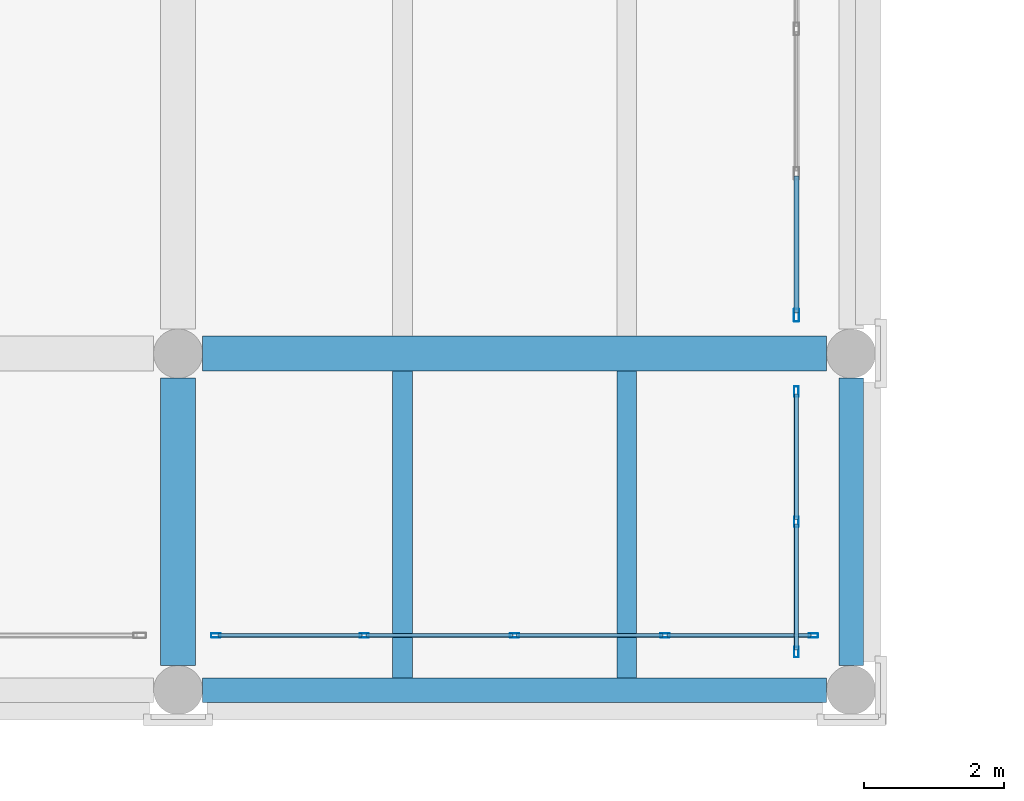
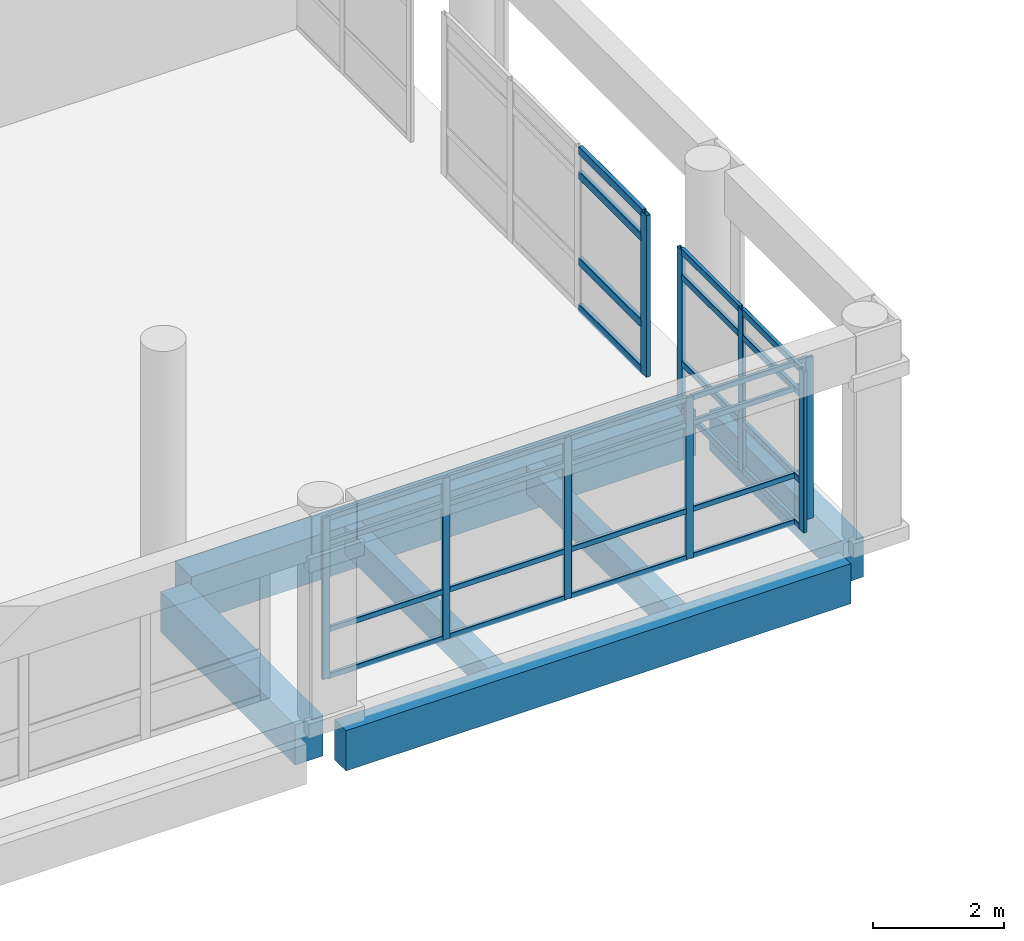
# One storey, part 24 of 180: 37 members, 6 beams, 3 elements without a shape of their own.
"""IFC4 building model written with IfcOpenShell, lengths in metres."""

import ifcopenshell
import ifcopenshell.guid

model = None  # the IFC model being written
_history = None  # IfcOwnerHistory: only IFC2X3 demands one
_inside = {}  # id of a spatial element -> (the spatial element, [elements in it])
_under = {}  # id of a project, library or spatial element -> (it, [spatial elements below it])
_declared = {}  # id of a project -> (the project, [libraries it declares])
_typed = {}  # id of a type object -> (the type object, [elements of that type])
_made_of = {}  # id of a material, layer set ... -> (it, [elements and type objects made of it])


def new_model(schema):
    """Start an empty IFC model of exactly this schema.

    Asked for "IFC4X3", IfcOpenShell would pick the latest addendum, in which some entities
    have other attributes; the version numbers below select the first issue.
    IFC2X3 requires an IfcOwnerHistory on every rooted entity: one is made here for all.
    """
    global model, _history
    if schema == "IFC4X3":
        model = ifcopenshell.file(schema_version=(4, 3, 0, 0))
    else:
        model = ifcopenshell.file(schema=schema)
    _inside.clear()
    _under.clear()
    _declared.clear()
    _typed.clear()
    _made_of.clear()
    _history = None
    if model.schema == "IFC2X3":
        org = make("IfcOrganization", Name="unknown")
        user = make(
            "IfcPersonAndOrganization",
            ThePerson=make("IfcPerson", FamilyName="unknown"),
            TheOrganization=org,
        )
        app = make(
            "IfcApplication",
            ApplicationDeveloper=org,
            Version="unknown",
            ApplicationFullName="unknown",
            ApplicationIdentifier="unknown",
        )
        _history = make(
            "IfcOwnerHistory",
            OwningUser=user,
            OwningApplication=app,
            ChangeAction="ADDED",
            CreationDate=0,
        )
    return model


def make(cls, **values):
    """One entity of the class cls with the attributes given. An attribute that is None is left unset."""
    return model.create_entity(
        cls, **{name: value for name, value in values.items() if value is not None}
    )


def rooted(cls, **values):
    """An entity with a GlobalId (a new one), such as an element, a storey or a relation."""
    return make(cls, GlobalId=ifcopenshell.guid.new(), OwnerHistory=_history, **values)


def si_unit(unit_type, name, prefix=None):
    """IfcSIUnit, for example si_unit("LENGTHUNIT", "METRE", prefix="MILLI")."""
    return make("IfcSIUnit", UnitType=unit_type, Prefix=prefix, Name=name)


def assignment(units):
    """IfcUnitAssignment: the units of a project."""
    return None if units is None else make("IfcUnitAssignment", Units=units)


def point(xyz):
    """IfcCartesianPoint."""
    return None if xyz is None else make("IfcCartesianPoint", Coordinates=xyz)


def direction(xyz):
    """IfcDirection."""
    return None if xyz is None else make("IfcDirection", DirectionRatios=xyz)


def frame(location, z_axis=None, x_axis=None):
    """IfcAxis2Placement3D, a coordinate frame: its origin and axes. An axis left out is left unset."""
    return make(
        "IfcAxis2Placement3D",
        Location=point(location),
        Axis=direction(z_axis),
        RefDirection=direction(x_axis),
    )


def frame_2d(location, x_axis=None):
    """IfcAxis2Placement2D, a coordinate frame in the plane: its origin and x axis."""
    return make(
        "IfcAxis2Placement2D", Location=point(location), RefDirection=direction(x_axis)
    )


def origin():
    """The frame at (0, 0, 0) with its axes left unset."""
    return frame((0.0, 0.0, 0.0))


def origin_2d():
    """The frame at (0, 0) in the plane with its x axis left unset."""
    return frame_2d((0.0, 0.0))


def place(relative_to, where):
    """IfcLocalPlacement: puts the frame where relative to a parent placement (None: the world)."""
    return make(
        "IfcLocalPlacement", PlacementRelTo=relative_to, RelativePlacement=where
    )


def context(
    kind, dimensions, precision=None, world=None, true_north=None, identifier=None
):
    """IfcGeometricRepresentationContext, for example the 3D "Model" context."""
    return make(
        "IfcGeometricRepresentationContext",
        ContextIdentifier=identifier,
        ContextType=kind,
        CoordinateSpaceDimension=dimensions,
        Precision=precision,
        WorldCoordinateSystem=world,
        TrueNorth=true_north,
    )


def subcontext(parent, identifier, kind, view, scale=None):
    """IfcGeometricRepresentationSubContext, for example "Body" below "Model"."""
    return make(
        "IfcGeometricRepresentationSubContext",
        ContextIdentifier=identifier,
        ContextType=kind,
        ParentContext=parent,
        TargetScale=scale,
        TargetView=view,
    )


def project(units=None, contexts=None):
    """IfcProject with its units and contexts."""
    return rooted(
        "IfcProject",
        Name="project",
        RepresentationContexts=contexts,
        UnitsInContext=assignment(units),
    )


def spatial(cls, under=None, at=None, **own):
    """A site, building, storey or space (cls), placed at a placement, below another one or the project."""
    s = rooted(cls, ObjectPlacement=at, **own)
    if under is not None:
        _under.setdefault(under.id(), (under, []))[1].append(s)
    return s


def profile(cls, at=None, kind="AREA", **sizes):
    """A parametric profile (cls). Its sizes go by their IFC names, for example OverallWidth=200.0."""
    return make(cls, ProfileType=kind, Position=at, **sizes)


def rectangle(**sizes):
    """IfcRectangleProfileDef."""
    return profile("IfcRectangleProfileDef", **sizes)


def hollow_rectangle(**sizes):
    """IfcRectangleHollowProfileDef."""
    return profile("IfcRectangleHollowProfileDef", **sizes)


def extrude(swept, where, along, depth):
    """IfcExtrudedAreaSolid: the profile swept, set in the frame where, extruded along a direction by depth."""
    return make(
        "IfcExtrudedAreaSolid",
        SweptArea=swept,
        Position=where,
        ExtrudedDirection=direction(along),
        Depth=depth,
    )


def shape(context_of_items, identifier, shape_type, items):
    """IfcShapeRepresentation: the items that make up one representation, for example the "Body"."""
    return make(
        "IfcShapeRepresentation",
        ContextOfItems=context_of_items,
        RepresentationIdentifier=identifier,
        RepresentationType=shape_type,
        Items=items,
    )


def material(Name=None, Category=None):
    """IfcMaterial."""
    return make("IfcMaterial", Name=Name, Category=Category)


def layer(
    of_material, thickness, ventilated=None, Name=None, Category=None, Priority=None
):
    """IfcMaterialLayer: one layer of a wall or slab, of a material (None: an air gap)."""
    return make(
        "IfcMaterialLayer",
        Material=of_material,
        LayerThickness=thickness,
        IsVentilated=ventilated,
        Name=Name,
        Category=Category,
        Priority=Priority,
    )


def layer_set(layers, Name=None):
    """IfcMaterialLayerSet."""
    return make("IfcMaterialLayerSet", MaterialLayers=layers, LayerSetName=Name)


def material_profile(
    of_material, cross_section, Name=None, Category=None, Priority=None
):
    """IfcMaterialProfile: a cross section and its material."""
    return make(
        "IfcMaterialProfile",
        Name=Name,
        Material=of_material,
        Profile=cross_section,
        Priority=Priority,
        Category=Category,
    )


def profile_set(profiles, Name=None, composite=None):
    """IfcMaterialProfileSet."""
    return make(
        "IfcMaterialProfileSet",
        Name=Name,
        MaterialProfiles=profiles,
        CompositeProfile=composite,
    )


def made_of(thing, what):
    """Note that an element or type object is made of a material, layer set ...; save() writes the relation."""
    if what is not None:
        _made_of.setdefault(what.id(), (what, []))[1].append(thing)
    return thing


def type_object(cls, material=None, **own):
    """A type object (cls), such as IfcWallType, which elements share."""
    return made_of(rooted(cls, **own), material)


def element(
    cls,
    number,
    at=None,
    inside=None,
    cuts=None,
    type_object=None,
    material=None,
    context=None,
    identifier="Body",
    shape_type=None,
    held_by="IfcProductDefinitionShape",
    body=None,
    shapes=None,
    **own,
):
    """One element of the class cls, such as IfcWall. Its Tag is "e" and its number.

    at: its placement. inside: the storey or other place that contains it. cuts: it is an
    opening in that element (IfcRelVoidsElement). A single representation is given by context,
    identifier, shape_type and body (its items); several are given by shapes. held_by: the class
    of the entity that holds the representations. save() writes the other relations.
    """
    e = rooted(cls, Tag="e%d" % number, ObjectPlacement=at, **own)
    if body is not None:
        shapes = [shape(context, identifier, shape_type, body)]
    if shapes is not None:
        e.Representation = make(held_by, Representations=shapes)
    if inside is not None:
        _inside.setdefault(inside.id(), (inside, []))[1].append(e)
    if cuts is not None:
        rooted(
            "IfcRelVoidsElement", RelatingBuildingElement=cuts, RelatedOpeningElement=e
        )
    if type_object is not None:
        _typed.setdefault(type_object.id(), (type_object, []))[1].append(e)
    return made_of(e, material)


def aggregate(whole, parts):
    """IfcRelAggregates: a whole, such as a stair, and the parts it consists of."""
    return rooted("IfcRelAggregates", RelatingObject=whole, RelatedObjects=parts)


def save(model, path):
    """Write the relations noted so far, then the file.

    IfcRelAggregates (storeys below a building ...), IfcRelContainedInSpatialStructure (elements
    in a storey), IfcRelDefinesByType, IfcRelAssociatesMaterial and IfcRelDeclares: one each for
    every whole, place, type object, material and project.
    """
    for whole, parts in _under.values():
        aggregate(whole, parts)
    for where, things in _inside.values():
        rooted(
            "IfcRelContainedInSpatialStructure",
            RelatedElements=things,
            RelatingStructure=where,
        )
    for kind, things in _typed.values():
        rooted("IfcRelDefinesByType", RelatedObjects=things, RelatingType=kind)
    for what, things in _made_of.values():
        rooted("IfcRelAssociatesMaterial", RelatedObjects=things, RelatingMaterial=what)
    for by, libraries in _declared.values():
        rooted("IfcRelDeclares", RelatingContext=by, RelatedDefinitions=libraries)
    model.write(path)


model = new_model("IFC4")

# Units and contexts
model_context = context("Model", 3, precision=1e-05, world=origin(), true_north=direction((0.0, 1.0)))
body_context = subcontext(model_context, "Body", "Model", "MODEL_VIEW")
ifc_project = project(units=[si_unit("LENGTHUNIT", "METRE"), si_unit("AREAUNIT", "SQUARE_METRE"), si_unit("VOLUMEUNIT", "CUBIC_METRE"), si_unit("PLANEANGLEUNIT", "RADIAN"), si_unit("MASSUNIT", "GRAM", prefix="KILO")], contexts=[model_context])

# Site, building, storey
site_placement = place(None, origin())
site = spatial("IfcSite", under=ifc_project, at=site_placement, CompositionType="ELEMENT")
building_placement = place(site_placement, origin())
building = spatial("IfcBuilding", under=site, at=building_placement, Name="Asteropetra Specialist Clinic", CompositionType="ELEMENT")
storey_placement = place(building_placement, frame((0.0, 0.0, 4.419921875)))
storey = spatial("IfcBuildingStorey", under=building, at=storey_placement, Name="L01", CompositionType="ELEMENT", Elevation=4.419921875)

# Beams
ifc_material_1 = material(Name="Concrete C35/45", Category="concrete")
ifc_material_profile_1 = material_profile(ifc_material_1, rectangle(XDim=0.5, YDim=0.75, at=origin_2d()), Name="RCB 500x750")
ifc_profile_set_1 = profile_set([ifc_material_profile_1], Name="Concrete C35/45")
beam_type_1 = type_object("IfcBeamType", Name="BM-RC500x750", PredefinedType="BEAM", material=ifc_profile_set_1)
beam_1_placement = place(storey_placement, frame((48.0, 0.35009765625, -0.71484375), z_axis=(0.0, 1.0, 0.0), x_axis=(-1.0, 0.0, 0.0)))
element("IfcBeam", 1, at=beam_1_placement, inside=storey, type_object=beam_type_1, Name="Beam BBM04-0257", PredefinedType="BEAM", context=body_context, shape_type="SweptSolid", body=[
    extrude(rectangle(XDim=0.5, YDim=0.75, at=origin_2d()), origin(), (0.0, 0.0, 1.0), 4.099853515625),
])
ifc_material_2 = material(Name="Concrete C35/45", Category="concrete")
ifc_material_profile_2 = material_profile(ifc_material_2, rectangle(XDim=0.5, YDim=0.85009765625, at=origin_2d()), Name="RCB 500x850")
ifc_profile_set_2 = profile_set([ifc_material_profile_2], Name="Concrete C35/45")
beam_type_2 = type_object("IfcBeamType", Name="BM-RC500x850", PredefinedType="BEAM", material=ifc_profile_set_2)
beam_2_placement = place(storey_placement, frame((48.35009765625, 4.800048828125, -0.764892578125), z_axis=(1.0, 0.0, 0.0), x_axis=(0.0, 1.0, 0.0)))
element("IfcBeam", 2, at=beam_2_placement, inside=storey, type_object=beam_type_2, Name="Beam BBM03-0237", PredefinedType="BEAM", context=body_context, shape_type="SweptSolid", body=[
    extrude(rectangle(XDim=0.5, YDim=0.85009765625, at=origin_2d()), origin(), (0.0, 0.0, 1.0), 8.89990234375),
])

# Curtain wall, members
ifc_material_3 = material(Name="Aluminium and low-E glass", Category="aluminium")
ifc_layer_1 = layer(ifc_material_3, 0.135009765625)
ifc_layer_set_1 = layer_set([ifc_layer_1], Name="Aluminium and low-E glass")
curtain_wall_type_1 = type_object("IfcCurtainWallType", Name="CW-SYS-09", PredefinedType="USERDEFINED", material=ifc_layer_set_1)
curtain_wall_1_placement = place(storey_placement, origin())
curtain_wall_1 = element("IfcCurtainWall", 3, at=curtain_wall_1_placement, inside=storey, type_object=curtain_wall_type_1, Name="Curtain Wall CW-140", ObjectType="STICK GLAZED COLONNADE", PredefinedType="USERDEFINED")
ifc_material_4 = material(Name="Aluminium 6063-T6", Category="aluminium")
ifc_material_profile_3 = material_profile(ifc_material_4, hollow_rectangle(XDim=0.06005859375, YDim=0.135009765625, WallThickness=0.00341796875, InnerFilletRadius=0.00341796875, OuterFilletRadius=0.007080078125, at=origin_2d()), Name="MUL 135x60x3.5")
ifc_profile_set_3 = profile_set([ifc_material_profile_3], Name="Aluminium 6063-T6")
member_type_1 = type_object("IfcMemberType", Name="CWM-135x60", PredefinedType="MULLION", material=ifc_profile_set_3)
member_1_placement = place(storey_placement, frame((48.5400390625, 0.780029296875, 0.0), z_axis=(0.0, 0.0, 1.0), x_axis=(0.0, 1.0, 0.0)))
member_1 = element("IfcMember", 4, at=member_1_placement, type_object=member_type_1, Name="CW-140 mullion 1", PredefinedType="MULLION", context=body_context, shape_type="SweptSolid", body=[
    extrude(hollow_rectangle(XDim=0.06005859375, YDim=0.135009765625, WallThickness=0.00341796875, InnerFilletRadius=0.00341796875, OuterFilletRadius=0.007080078125, at=origin_2d()), origin(), (0.0, 0.0, 1.0), 3.010009765625),
])
member_2_placement = place(storey_placement, frame((50.655029296875, 0.780029296875, 0.0), z_axis=(0.0, 0.0, 1.0), x_axis=(0.0, 1.0, 0.0)))
member_2 = element("IfcMember", 5, at=member_2_placement, type_object=member_type_1, Name="CW-140 mullion 2", PredefinedType="MULLION", context=body_context, shape_type="SweptSolid", body=[
    extrude(hollow_rectangle(XDim=0.06005859375, YDim=0.135009765625, WallThickness=0.00341796875, InnerFilletRadius=0.00341796875, OuterFilletRadius=0.007080078125, at=origin_2d()), origin(), (0.0, 0.0, 1.0), 3.010009765625),
])
member_3_placement = place(storey_placement, frame((52.800048828125, 0.780029296875, 0.0), z_axis=(0.0, 0.0, 1.0), x_axis=(0.0, 1.0, 0.0)))
member_3 = element("IfcMember", 6, at=member_3_placement, type_object=member_type_1, Name="CW-140 mullion 3", PredefinedType="MULLION", context=body_context, shape_type="SweptSolid", body=[
    extrude(hollow_rectangle(XDim=0.06005859375, YDim=0.135009765625, WallThickness=0.00341796875, InnerFilletRadius=0.00341796875, OuterFilletRadius=0.007080078125, at=origin_2d()), origin(), (0.0, 0.0, 1.0), 3.010009765625),
])
member_4_placement = place(storey_placement, frame((54.945068359375, 0.780029296875, 0.0), z_axis=(0.0, 0.0, 1.0), x_axis=(0.0, 1.0, 0.0)))
member_4 = element("IfcMember", 7, at=member_4_placement, type_object=member_type_1, Name="CW-140 mullion 4", PredefinedType="MULLION", context=body_context, shape_type="SweptSolid", body=[
    extrude(hollow_rectangle(XDim=0.06005859375, YDim=0.135009765625, WallThickness=0.00341796875, InnerFilletRadius=0.00341796875, OuterFilletRadius=0.007080078125, at=origin_2d()), origin(), (0.0, 0.0, 1.0), 3.010009765625),
])
member_5_placement = place(storey_placement, frame((57.06005859375, 0.780029296875, 0.0), z_axis=(0.0, 0.0, 1.0), x_axis=(0.0, 1.0, 0.0)))
member_5 = element("IfcMember", 8, at=member_5_placement, type_object=member_type_1, Name="CW-140 mullion 5", PredefinedType="MULLION", context=body_context, shape_type="SweptSolid", body=[
    extrude(hollow_rectangle(XDim=0.06005859375, YDim=0.135009765625, WallThickness=0.00341796875, InnerFilletRadius=0.00341796875, OuterFilletRadius=0.007080078125, at=origin_2d()), origin(), (0.0, 0.0, 1.0), 3.010009765625),
])

ifc_material_5 = material(Name="Aluminium and low-E glass", Category="aluminium")
ifc_layer_2 = layer(ifc_material_5, 0.179931640625)
ifc_layer_set_2 = layer_set([ifc_layer_2], Name="Aluminium and low-E glass")
curtain_wall_type_2 = type_object("IfcCurtainWallType", Name="CW-SYS-10", PredefinedType="USERDEFINED", material=ifc_layer_set_2)
curtain_wall_2_placement = place(storey_placement, origin())
curtain_wall_2 = element("IfcCurtainWall", 9, at=curtain_wall_2_placement, inside=storey, type_object=curtain_wall_type_2, Name="Curtain Wall CW-142", ObjectType="STICK GLAZED COLONNADE", PredefinedType="USERDEFINED")
ifc_material_6 = material(Name="Aluminium 6063-T6", Category="aluminium")
ifc_material_profile_4 = material_profile(ifc_material_6, hollow_rectangle(XDim=0.06494140625, YDim=0.14990234375, WallThickness=0.00390625, InnerFilletRadius=0.00390625, OuterFilletRadius=0.008056640625, at=origin_2d()), Name="MUL 150x65x4.0")
ifc_profile_set_4 = profile_set([ifc_material_profile_4], Name="Aluminium 6063-T6")
member_type_2 = type_object("IfcMemberType", Name="CWM-150x65", PredefinedType="MULLION", material=ifc_profile_set_4)
member_6_placement = place(storey_placement, frame((56.820068359375, 0.54248046875, 0.0), z_axis=(0.0, 0.0, 1.0), x_axis=(-1.0, 0.0, 0.0)))
member_6 = element("IfcMember", 10, at=member_6_placement, type_object=member_type_2, Name="CW-142 mullion 1", PredefinedType="MULLION", context=body_context, shape_type="SweptSolid", body=[
    extrude(hollow_rectangle(XDim=0.06494140625, YDim=0.14990234375, WallThickness=0.00390625, InnerFilletRadius=0.00390625, OuterFilletRadius=0.008056640625, at=origin_2d()), origin(), (0.0, 0.0, 1.0), 3.010009765625),
])
member_7_placement = place(storey_placement, frame((56.820068359375, 2.39990234375, 0.0), z_axis=(0.0, 0.0, 1.0), x_axis=(-1.0, 0.0, 0.0)))
member_7 = element("IfcMember", 11, at=member_7_placement, type_object=member_type_2, Name="CW-142 mullion 2", PredefinedType="MULLION", context=body_context, shape_type="SweptSolid", body=[
    extrude(hollow_rectangle(XDim=0.06494140625, YDim=0.14990234375, WallThickness=0.00390625, InnerFilletRadius=0.00390625, OuterFilletRadius=0.008056640625, at=origin_2d()), origin(), (0.0, 0.0, 1.0), 3.010009765625),
])
member_8_placement = place(storey_placement, frame((56.820068359375, 4.257568359375, 0.0), z_axis=(0.0, 0.0, 1.0), x_axis=(-1.0, 0.0, 0.0)))
member_8 = element("IfcMember", 12, at=member_8_placement, type_object=member_type_2, Name="CW-142 mullion 3", PredefinedType="MULLION", context=body_context, shape_type="SweptSolid", body=[
    extrude(hollow_rectangle(XDim=0.06494140625, YDim=0.14990234375, WallThickness=0.00390625, InnerFilletRadius=0.00390625, OuterFilletRadius=0.008056640625, at=origin_2d()), origin(), (0.0, 0.0, 1.0), 3.010009765625),
])

# Curtain wall, member
curtain_wall_3_placement = place(storey_placement, origin())
curtain_wall_3 = element("IfcCurtainWall", 13, at=curtain_wall_3_placement, inside=storey, type_object=curtain_wall_type_2, Name="Curtain Wall CW-144", ObjectType="STICK GLAZED COLONNADE", PredefinedType="USERDEFINED")
ifc_material_7 = material(Name="Aluminium 6063-T6", Category="aluminium")
ifc_material_profile_5 = material_profile(ifc_material_7, hollow_rectangle(XDim=0.074951171875, YDim=0.179931640625, WallThickness=0.00390625, InnerFilletRadius=0.00390625, OuterFilletRadius=0.008056640625, at=origin_2d()), Name="MUL 180x75x4.0")
ifc_profile_set_5 = profile_set([ifc_material_profile_5], Name="Aluminium 6063-T6")
member_type_3 = type_object("IfcMemberType", Name="CWM-180x75", PredefinedType="MULLION", material=ifc_profile_set_5)
member_9_placement = place(storey_placement, frame((56.820068359375, 5.347412109375, 0.0), z_axis=(0.0, 0.0, 1.0), x_axis=(-1.0, 0.0, 0.0)))
member_9 = element("IfcMember", 14, at=member_9_placement, type_object=member_type_3, Name="CW-144 mullion 1", PredefinedType="MULLION", context=body_context, shape_type="SweptSolid", body=[
    extrude(hollow_rectangle(XDim=0.074951171875, YDim=0.179931640625, WallThickness=0.00390625, InnerFilletRadius=0.00390625, OuterFilletRadius=0.008056640625, at=origin_2d()), origin(), (0.0, 0.0, 1.0), 3.010009765625),
])

# Member
ifc_material_8 = material(Name="Aluminium 6063-T6", Category="aluminium")
ifc_material_profile_6 = material_profile(ifc_material_8, hollow_rectangle(XDim=0.06005859375, YDim=0.10009765625, WallThickness=0.00341796875, InnerFilletRadius=0.00341796875, OuterFilletRadius=0.007080078125, at=origin_2d()), Name="TRN 100x60x3.5")
ifc_profile_set_6 = profile_set([ifc_material_profile_6], Name="Aluminium 6063-T6")
member_type_4 = type_object("IfcMemberType", Name="CWT-100x60", PredefinedType="USERDEFINED", material=ifc_profile_set_6)
member_10_placement = place(storey_placement, frame((48.570068359375, 0.780029296875, 0.030029296875), z_axis=(1.0, 0.0, 0.0), x_axis=(0.0, 1.0, 0.0)))
member_10 = element("IfcMember", 15, at=member_10_placement, type_object=member_type_4, Name="CW-140 transom 1.1", ObjectType="TRANSOM", PredefinedType="USERDEFINED", context=body_context, shape_type="SweptSolid", body=[
    extrude(hollow_rectangle(XDim=0.06005859375, YDim=0.10009765625, WallThickness=0.00341796875, InnerFilletRadius=0.00341796875, OuterFilletRadius=0.007080078125, at=origin_2d()), origin(), (0.0, 0.0, 1.0), 2.054931640625),
])

member_11_placement = place(storey_placement, frame((48.570068359375, 0.780029296875, 0.900146484375), z_axis=(1.0, 0.0, 0.0), x_axis=(0.0, 1.0, 0.0)))
member_11 = element("IfcMember", 16, at=member_11_placement, type_object=member_type_4, Name="CW-140 transom 1.2", ObjectType="TRANSOM", PredefinedType="USERDEFINED", context=body_context, shape_type="SweptSolid", body=[
    extrude(hollow_rectangle(XDim=0.06005859375, YDim=0.10009765625, WallThickness=0.00341796875, InnerFilletRadius=0.00341796875, OuterFilletRadius=0.007080078125, at=origin_2d()), origin(), (0.0, 0.0, 1.0), 2.054931640625),
])

member_12_placement = place(storey_placement, frame((48.570068359375, 0.780029296875, 2.510009765625), z_axis=(1.0, 0.0, 0.0), x_axis=(0.0, 1.0, 0.0)))
member_12 = element("IfcMember", 17, at=member_12_placement, type_object=member_type_4, Name="CW-140 transom 1.3", ObjectType="TRANSOM", PredefinedType="USERDEFINED", context=body_context, shape_type="SweptSolid", body=[
    extrude(hollow_rectangle(XDim=0.06005859375, YDim=0.10009765625, WallThickness=0.00341796875, InnerFilletRadius=0.00341796875, OuterFilletRadius=0.007080078125, at=origin_2d()), origin(), (0.0, 0.0, 1.0), 2.054931640625),
])

member_13_placement = place(storey_placement, frame((48.570068359375, 0.780029296875, 2.97998046875), z_axis=(1.0, 0.0, 0.0), x_axis=(0.0, 1.0, 0.0)))
member_13 = element("IfcMember", 18, at=member_13_placement, type_object=member_type_4, Name="CW-140 transom 1.4", ObjectType="TRANSOM", PredefinedType="USERDEFINED", context=body_context, shape_type="SweptSolid", body=[
    extrude(hollow_rectangle(XDim=0.06005859375, YDim=0.10009765625, WallThickness=0.00341796875, InnerFilletRadius=0.00341796875, OuterFilletRadius=0.007080078125, at=origin_2d()), origin(), (0.0, 0.0, 1.0), 2.054931640625),
])

member_14_placement = place(storey_placement, frame((50.68505859375, 0.780029296875, 0.030029296875), z_axis=(1.0, 0.0, 0.0), x_axis=(0.0, 1.0, 0.0)))
member_14 = element("IfcMember", 19, at=member_14_placement, type_object=member_type_4, Name="CW-140 transom 2.1", ObjectType="TRANSOM", PredefinedType="USERDEFINED", context=body_context, shape_type="SweptSolid", body=[
    extrude(hollow_rectangle(XDim=0.06005859375, YDim=0.10009765625, WallThickness=0.00341796875, InnerFilletRadius=0.00341796875, OuterFilletRadius=0.007080078125, at=origin_2d()), origin(), (0.0, 0.0, 1.0), 2.0849609375),
])

member_15_placement = place(storey_placement, frame((50.68505859375, 0.780029296875, 0.900146484375), z_axis=(1.0, 0.0, 0.0), x_axis=(0.0, 1.0, 0.0)))
member_15 = element("IfcMember", 20, at=member_15_placement, type_object=member_type_4, Name="CW-140 transom 2.2", ObjectType="TRANSOM", PredefinedType="USERDEFINED", context=body_context, shape_type="SweptSolid", body=[
    extrude(hollow_rectangle(XDim=0.06005859375, YDim=0.10009765625, WallThickness=0.00341796875, InnerFilletRadius=0.00341796875, OuterFilletRadius=0.007080078125, at=origin_2d()), origin(), (0.0, 0.0, 1.0), 2.0849609375),
])

member_16_placement = place(storey_placement, frame((50.68505859375, 0.780029296875, 2.510009765625), z_axis=(1.0, 0.0, 0.0), x_axis=(0.0, 1.0, 0.0)))
member_16 = element("IfcMember", 21, at=member_16_placement, type_object=member_type_4, Name="CW-140 transom 2.3", ObjectType="TRANSOM", PredefinedType="USERDEFINED", context=body_context, shape_type="SweptSolid", body=[
    extrude(hollow_rectangle(XDim=0.06005859375, YDim=0.10009765625, WallThickness=0.00341796875, InnerFilletRadius=0.00341796875, OuterFilletRadius=0.007080078125, at=origin_2d()), origin(), (0.0, 0.0, 1.0), 2.0849609375),
])

member_17_placement = place(storey_placement, frame((50.68505859375, 0.780029296875, 2.97998046875), z_axis=(1.0, 0.0, 0.0), x_axis=(0.0, 1.0, 0.0)))
member_17 = element("IfcMember", 22, at=member_17_placement, type_object=member_type_4, Name="CW-140 transom 2.4", ObjectType="TRANSOM", PredefinedType="USERDEFINED", context=body_context, shape_type="SweptSolid", body=[
    extrude(hollow_rectangle(XDim=0.06005859375, YDim=0.10009765625, WallThickness=0.00341796875, InnerFilletRadius=0.00341796875, OuterFilletRadius=0.007080078125, at=origin_2d()), origin(), (0.0, 0.0, 1.0), 2.0849609375),
])

member_18_placement = place(storey_placement, frame((52.830078125, 0.780029296875, 0.030029296875), z_axis=(1.0, 0.0, 0.0), x_axis=(0.0, 1.0, 0.0)))
member_18 = element("IfcMember", 23, at=member_18_placement, type_object=member_type_4, Name="CW-140 transom 3.1", ObjectType="TRANSOM", PredefinedType="USERDEFINED", context=body_context, shape_type="SweptSolid", body=[
    extrude(hollow_rectangle(XDim=0.06005859375, YDim=0.10009765625, WallThickness=0.00341796875, InnerFilletRadius=0.00341796875, OuterFilletRadius=0.007080078125, at=origin_2d()), origin(), (0.0, 0.0, 1.0), 2.0849609375),
])

member_19_placement = place(storey_placement, frame((52.830078125, 0.780029296875, 0.900146484375), z_axis=(1.0, 0.0, 0.0), x_axis=(0.0, 1.0, 0.0)))
member_19 = element("IfcMember", 24, at=member_19_placement, type_object=member_type_4, Name="CW-140 transom 3.2", ObjectType="TRANSOM", PredefinedType="USERDEFINED", context=body_context, shape_type="SweptSolid", body=[
    extrude(hollow_rectangle(XDim=0.06005859375, YDim=0.10009765625, WallThickness=0.00341796875, InnerFilletRadius=0.00341796875, OuterFilletRadius=0.007080078125, at=origin_2d()), origin(), (0.0, 0.0, 1.0), 2.0849609375),
])

member_20_placement = place(storey_placement, frame((52.830078125, 0.780029296875, 2.510009765625), z_axis=(1.0, 0.0, 0.0), x_axis=(0.0, 1.0, 0.0)))
member_20 = element("IfcMember", 25, at=member_20_placement, type_object=member_type_4, Name="CW-140 transom 3.3", ObjectType="TRANSOM", PredefinedType="USERDEFINED", context=body_context, shape_type="SweptSolid", body=[
    extrude(hollow_rectangle(XDim=0.06005859375, YDim=0.10009765625, WallThickness=0.00341796875, InnerFilletRadius=0.00341796875, OuterFilletRadius=0.007080078125, at=origin_2d()), origin(), (0.0, 0.0, 1.0), 2.0849609375),
])

member_21_placement = place(storey_placement, frame((52.830078125, 0.780029296875, 2.97998046875), z_axis=(1.0, 0.0, 0.0), x_axis=(0.0, 1.0, 0.0)))
member_21 = element("IfcMember", 26, at=member_21_placement, type_object=member_type_4, Name="CW-140 transom 3.4", ObjectType="TRANSOM", PredefinedType="USERDEFINED", context=body_context, shape_type="SweptSolid", body=[
    extrude(hollow_rectangle(XDim=0.06005859375, YDim=0.10009765625, WallThickness=0.00341796875, InnerFilletRadius=0.00341796875, OuterFilletRadius=0.007080078125, at=origin_2d()), origin(), (0.0, 0.0, 1.0), 2.0849609375),
])

member_22_placement = place(storey_placement, frame((54.97509765625, 0.780029296875, 0.030029296875), z_axis=(1.0, 0.0, 0.0), x_axis=(0.0, 1.0, 0.0)))
member_22 = element("IfcMember", 27, at=member_22_placement, type_object=member_type_4, Name="CW-140 transom 4.1", ObjectType="TRANSOM", PredefinedType="USERDEFINED", context=body_context, shape_type="SweptSolid", body=[
    extrude(hollow_rectangle(XDim=0.06005859375, YDim=0.10009765625, WallThickness=0.00341796875, InnerFilletRadius=0.00341796875, OuterFilletRadius=0.007080078125, at=origin_2d()), origin(), (0.0, 0.0, 1.0), 2.054931640625),
])

member_23_placement = place(storey_placement, frame((54.97509765625, 0.780029296875, 0.900146484375), z_axis=(1.0, 0.0, 0.0), x_axis=(0.0, 1.0, 0.0)))
member_23 = element("IfcMember", 28, at=member_23_placement, type_object=member_type_4, Name="CW-140 transom 4.2", ObjectType="TRANSOM", PredefinedType="USERDEFINED", context=body_context, shape_type="SweptSolid", body=[
    extrude(hollow_rectangle(XDim=0.06005859375, YDim=0.10009765625, WallThickness=0.00341796875, InnerFilletRadius=0.00341796875, OuterFilletRadius=0.007080078125, at=origin_2d()), origin(), (0.0, 0.0, 1.0), 2.054931640625),
])

member_24_placement = place(storey_placement, frame((54.97509765625, 0.780029296875, 2.510009765625), z_axis=(1.0, 0.0, 0.0), x_axis=(0.0, 1.0, 0.0)))
member_24 = element("IfcMember", 29, at=member_24_placement, type_object=member_type_4, Name="CW-140 transom 4.3", ObjectType="TRANSOM", PredefinedType="USERDEFINED", context=body_context, shape_type="SweptSolid", body=[
    extrude(hollow_rectangle(XDim=0.06005859375, YDim=0.10009765625, WallThickness=0.00341796875, InnerFilletRadius=0.00341796875, OuterFilletRadius=0.007080078125, at=origin_2d()), origin(), (0.0, 0.0, 1.0), 2.054931640625),
])

member_25_placement = place(storey_placement, frame((54.97509765625, 0.780029296875, 2.97998046875), z_axis=(1.0, 0.0, 0.0), x_axis=(0.0, 1.0, 0.0)))
member_25 = element("IfcMember", 30, at=member_25_placement, type_object=member_type_4, Name="CW-140 transom 4.4", ObjectType="TRANSOM", PredefinedType="USERDEFINED", context=body_context, shape_type="SweptSolid", body=[
    extrude(hollow_rectangle(XDim=0.06005859375, YDim=0.10009765625, WallThickness=0.00341796875, InnerFilletRadius=0.00341796875, OuterFilletRadius=0.007080078125, at=origin_2d()), origin(), (0.0, 0.0, 1.0), 2.054931640625),
])

aggregate(curtain_wall_1, [member_1, member_2, member_3, member_4, member_5, member_10, member_11, member_12, member_13, member_14, member_15, member_16, member_17, member_18, member_19, member_20, member_21, member_22, member_23, member_24, member_25])

ifc_material_9 = material(Name="Aluminium 6063-T6", Category="aluminium")
ifc_material_profile_7 = material_profile(ifc_material_9, hollow_rectangle(XDim=0.06494140625, YDim=0.1201171875, WallThickness=0.00390625, InnerFilletRadius=0.00390625, OuterFilletRadius=0.008056640625, at=origin_2d()), Name="TRN 120x65x4.0")
ifc_profile_set_7 = profile_set([ifc_material_profile_7], Name="Aluminium 6063-T6")
member_type_5 = type_object("IfcMemberType", Name="CWT-120x65", PredefinedType="USERDEFINED", material=ifc_profile_set_7)
member_26_placement = place(storey_placement, frame((56.820068359375, 0.574951171875, 0.032470703125), z_axis=(0.0, 1.0, 0.0), x_axis=(-1.0, 0.0, 0.0)))
member_26 = element("IfcMember", 31, at=member_26_placement, type_object=member_type_5, Name="CW-142 transom 1.1", ObjectType="TRANSOM", PredefinedType="USERDEFINED", context=body_context, shape_type="SweptSolid", body=[
    extrude(hollow_rectangle(XDim=0.06494140625, YDim=0.1201171875, WallThickness=0.00390625, InnerFilletRadius=0.00390625, OuterFilletRadius=0.008056640625, at=origin_2d()), origin(), (0.0, 0.0, 1.0), 1.79248046875),
])

member_27_placement = place(storey_placement, frame((56.820068359375, 0.574951171875, 0.900146484375), z_axis=(0.0, 1.0, 0.0), x_axis=(-1.0, 0.0, 0.0)))
member_27 = element("IfcMember", 32, at=member_27_placement, type_object=member_type_5, Name="CW-142 transom 1.2", ObjectType="TRANSOM", PredefinedType="USERDEFINED", context=body_context, shape_type="SweptSolid", body=[
    extrude(hollow_rectangle(XDim=0.06494140625, YDim=0.1201171875, WallThickness=0.00390625, InnerFilletRadius=0.00390625, OuterFilletRadius=0.008056640625, at=origin_2d()), origin(), (0.0, 0.0, 1.0), 1.79248046875),
])

member_28_placement = place(storey_placement, frame((56.820068359375, 0.574951171875, 2.510009765625), z_axis=(0.0, 1.0, 0.0), x_axis=(-1.0, 0.0, 0.0)))
member_28 = element("IfcMember", 33, at=member_28_placement, type_object=member_type_5, Name="CW-142 transom 1.3", ObjectType="TRANSOM", PredefinedType="USERDEFINED", context=body_context, shape_type="SweptSolid", body=[
    extrude(hollow_rectangle(XDim=0.06494140625, YDim=0.1201171875, WallThickness=0.00390625, InnerFilletRadius=0.00390625, OuterFilletRadius=0.008056640625, at=origin_2d()), origin(), (0.0, 0.0, 1.0), 1.79248046875),
])

member_29_placement = place(storey_placement, frame((56.820068359375, 0.574951171875, 2.9775390625), z_axis=(0.0, 1.0, 0.0), x_axis=(-1.0, 0.0, 0.0)))
member_29 = element("IfcMember", 34, at=member_29_placement, type_object=member_type_5, Name="CW-142 transom 1.4", ObjectType="TRANSOM", PredefinedType="USERDEFINED", context=body_context, shape_type="SweptSolid", body=[
    extrude(hollow_rectangle(XDim=0.06494140625, YDim=0.1201171875, WallThickness=0.00390625, InnerFilletRadius=0.00390625, OuterFilletRadius=0.008056640625, at=origin_2d()), origin(), (0.0, 0.0, 1.0), 1.79248046875),
])

member_30_placement = place(storey_placement, frame((56.820068359375, 2.4326171875, 0.032470703125), z_axis=(0.0, 1.0, 0.0), x_axis=(-1.0, 0.0, 0.0)))
member_30 = element("IfcMember", 35, at=member_30_placement, type_object=member_type_5, Name="CW-142 transom 2.1", ObjectType="TRANSOM", PredefinedType="USERDEFINED", context=body_context, shape_type="SweptSolid", body=[
    extrude(hollow_rectangle(XDim=0.06494140625, YDim=0.1201171875, WallThickness=0.00390625, InnerFilletRadius=0.00390625, OuterFilletRadius=0.008056640625, at=origin_2d()), origin(), (0.0, 0.0, 1.0), 1.79248046875),
])

member_31_placement = place(storey_placement, frame((56.820068359375, 2.4326171875, 0.900146484375), z_axis=(0.0, 1.0, 0.0), x_axis=(-1.0, 0.0, 0.0)))
member_31 = element("IfcMember", 36, at=member_31_placement, type_object=member_type_5, Name="CW-142 transom 2.2", ObjectType="TRANSOM", PredefinedType="USERDEFINED", context=body_context, shape_type="SweptSolid", body=[
    extrude(hollow_rectangle(XDim=0.06494140625, YDim=0.1201171875, WallThickness=0.00390625, InnerFilletRadius=0.00390625, OuterFilletRadius=0.008056640625, at=origin_2d()), origin(), (0.0, 0.0, 1.0), 1.79248046875),
])

member_32_placement = place(storey_placement, frame((56.820068359375, 2.4326171875, 2.510009765625), z_axis=(0.0, 1.0, 0.0), x_axis=(-1.0, 0.0, 0.0)))
member_32 = element("IfcMember", 37, at=member_32_placement, type_object=member_type_5, Name="CW-142 transom 2.3", ObjectType="TRANSOM", PredefinedType="USERDEFINED", context=body_context, shape_type="SweptSolid", body=[
    extrude(hollow_rectangle(XDim=0.06494140625, YDim=0.1201171875, WallThickness=0.00390625, InnerFilletRadius=0.00390625, OuterFilletRadius=0.008056640625, at=origin_2d()), origin(), (0.0, 0.0, 1.0), 1.79248046875),
])

member_33_placement = place(storey_placement, frame((56.820068359375, 2.4326171875, 2.9775390625), z_axis=(0.0, 1.0, 0.0), x_axis=(-1.0, 0.0, 0.0)))
member_33 = element("IfcMember", 38, at=member_33_placement, type_object=member_type_5, Name="CW-142 transom 2.4", ObjectType="TRANSOM", PredefinedType="USERDEFINED", context=body_context, shape_type="SweptSolid", body=[
    extrude(hollow_rectangle(XDim=0.06494140625, YDim=0.1201171875, WallThickness=0.00390625, InnerFilletRadius=0.00390625, OuterFilletRadius=0.008056640625, at=origin_2d()), origin(), (0.0, 0.0, 1.0), 1.79248046875),
])

aggregate(curtain_wall_2, [member_6, member_7, member_8, member_26, member_27, member_28, member_29, member_30, member_31, member_32, member_33])

ifc_material_10 = material(Name="Aluminium 6063-T6", Category="aluminium")
ifc_material_profile_8 = material_profile(ifc_material_10, hollow_rectangle(XDim=0.074951171875, YDim=0.14990234375, WallThickness=0.00390625, InnerFilletRadius=0.00390625, OuterFilletRadius=0.008056640625, at=origin_2d()), Name="TRN 150x75x4.0")
ifc_profile_set_8 = profile_set([ifc_material_profile_8], Name="Aluminium 6063-T6")
member_type_6 = type_object("IfcMemberType", Name="CWT-150x75", PredefinedType="USERDEFINED", material=ifc_profile_set_8)
member_34_placement = place(storey_placement, frame((56.820068359375, 5.385009765625, 0.03759765625), z_axis=(0.0, 1.0, 0.0), x_axis=(-1.0, 0.0, 0.0)))
member_34 = element("IfcMember", 39, at=member_34_placement, type_object=member_type_6, Name="CW-144 transom 1.1", ObjectType="TRANSOM", PredefinedType="USERDEFINED", context=body_context, shape_type="SweptSolid", body=[
    extrude(hollow_rectangle(XDim=0.074951171875, YDim=0.14990234375, WallThickness=0.00390625, InnerFilletRadius=0.00390625, OuterFilletRadius=0.008056640625, at=origin_2d()), origin(), (0.0, 0.0, 1.0), 1.947509765625),
])

member_35_placement = place(storey_placement, frame((56.820068359375, 5.385009765625, 0.900146484375), z_axis=(0.0, 1.0, 0.0), x_axis=(-1.0, 0.0, 0.0)))
member_35 = element("IfcMember", 40, at=member_35_placement, type_object=member_type_6, Name="CW-144 transom 1.2", ObjectType="TRANSOM", PredefinedType="USERDEFINED", context=body_context, shape_type="SweptSolid", body=[
    extrude(hollow_rectangle(XDim=0.074951171875, YDim=0.14990234375, WallThickness=0.00390625, InnerFilletRadius=0.00390625, OuterFilletRadius=0.008056640625, at=origin_2d()), origin(), (0.0, 0.0, 1.0), 1.947509765625),
])

member_36_placement = place(storey_placement, frame((56.820068359375, 5.385009765625, 2.510009765625), z_axis=(0.0, 1.0, 0.0), x_axis=(-1.0, 0.0, 0.0)))
member_36 = element("IfcMember", 41, at=member_36_placement, type_object=member_type_6, Name="CW-144 transom 1.3", ObjectType="TRANSOM", PredefinedType="USERDEFINED", context=body_context, shape_type="SweptSolid", body=[
    extrude(hollow_rectangle(XDim=0.074951171875, YDim=0.14990234375, WallThickness=0.00390625, InnerFilletRadius=0.00390625, OuterFilletRadius=0.008056640625, at=origin_2d()), origin(), (0.0, 0.0, 1.0), 1.947509765625),
])

member_37_placement = place(storey_placement, frame((56.820068359375, 5.385009765625, 2.97265625), z_axis=(0.0, 1.0, 0.0), x_axis=(-1.0, 0.0, 0.0)))
member_37 = element("IfcMember", 42, at=member_37_placement, type_object=member_type_6, Name="CW-144 transom 1.4", ObjectType="TRANSOM", PredefinedType="USERDEFINED", context=body_context, shape_type="SweptSolid", body=[
    extrude(hollow_rectangle(XDim=0.074951171875, YDim=0.14990234375, WallThickness=0.00390625, InnerFilletRadius=0.00390625, OuterFilletRadius=0.008056640625, at=origin_2d()), origin(), (0.0, 0.0, 1.0), 1.947509765625),
])

aggregate(curtain_wall_3, [member_9, member_34, member_35, member_36, member_37])

# Beams
ifc_material_11 = material(Name="Concrete C35/45", Category="concrete")
ifc_material_profile_9 = material_profile(ifc_material_11, rectangle(XDim=0.280029296875, YDim=0.52001953125, at=origin_2d()), Name="RCJ 280x520")
ifc_profile_set_9 = profile_set([ifc_material_profile_9], Name="Concrete C35/45")
beam_type_3 = type_object("IfcBeamType", Name="JST-RC280x520", PredefinedType="JOIST", material=ifc_profile_set_9)
for number, where, z_axis, x_axis, name in (
    (43, (51.199951171875, 0.175048828125, -0.599853515625), (0.0, 1.0, 0.0), (-1.0, 0.0, 0.0), "Joist JJST01-0269"),
    (44, (54.39990234375, 0.175048828125, -0.599853515625), (0.0, 1.0, 0.0), (-1.0, 0.0, 0.0), "Joist JJST01-0270"),
):
    element("IfcBeam", number, at=place(storey_placement, frame(where, z_axis=z_axis, x_axis=x_axis)), inside=storey, type_object=beam_type_3, Name=name, PredefinedType="JOIST", context=body_context, shape_type="SweptSolid", body=[
        extrude(rectangle(XDim=0.280029296875, YDim=0.52001953125, at=origin_2d()), origin(), (0.0, 0.0, 1.0), 4.375),
    ])
ifc_material_12 = material(Name="Concrete C35/45", Category="concrete")
ifc_material_profile_10 = material_profile(ifc_material_12, rectangle(XDim=0.35009765625, YDim=0.75, at=origin_2d()), Name="RCS 350x750")
ifc_profile_set_10 = profile_set([ifc_material_profile_10], Name="Concrete C35/45")
beam_type_4 = type_object("IfcBeamType", Name="SPN-RC350x750", PredefinedType="SPANDREL", material=ifc_profile_set_10)
beam_3_placement = place(storey_placement, frame((48.35009765625, 0.0, -0.71484375), z_axis=(1.0, 0.0, 0.0), x_axis=(0.0, 1.0, 0.0)))
element("IfcBeam", 45, at=beam_3_placement, inside=storey, type_object=beam_type_4, Name="Beam BSPN01-0231", PredefinedType="SPANDREL", context=body_context, shape_type="SweptSolid", body=[
    extrude(rectangle(XDim=0.35009765625, YDim=0.75, at=origin_2d()), origin(), (0.0, 0.0, 1.0), 8.89990234375),
])
beam_4_placement = place(storey_placement, frame((57.60009765625, 0.35009765625, -0.71484375), z_axis=(0.0, 1.0, 0.0), x_axis=(-1.0, 0.0, 0.0)))
element("IfcBeam", 46, at=beam_4_placement, inside=storey, type_object=beam_type_4, Name="Beam BSPN01-0258", PredefinedType="SPANDREL", context=body_context, shape_type="SweptSolid", body=[
    extrude(rectangle(XDim=0.35009765625, YDim=0.75, at=origin_2d()), origin(), (0.0, 0.0, 1.0), 4.099853515625),
])

save(model, "model.ifc")
